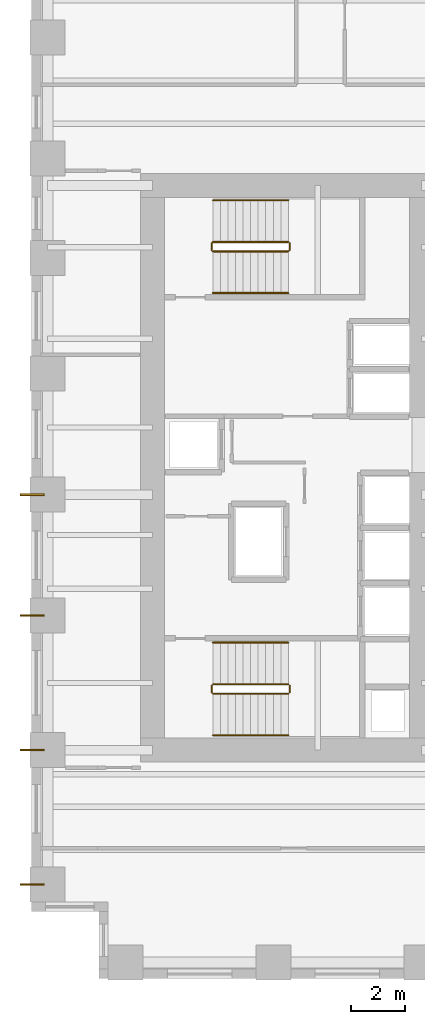
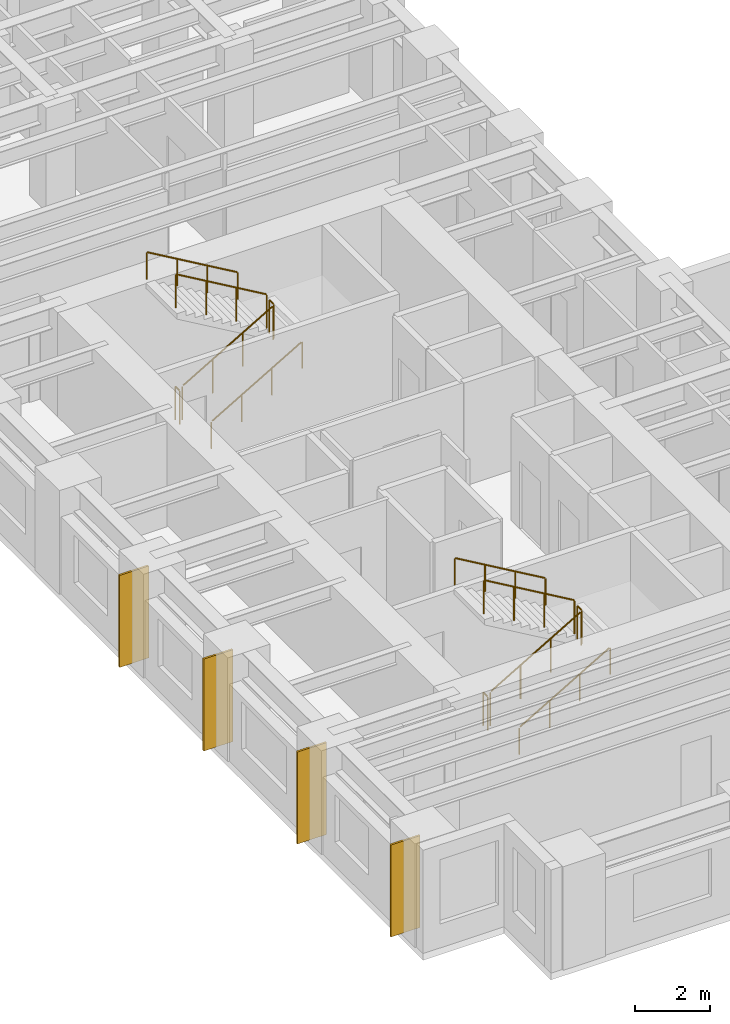
# One storey, part 10 of 11: 12 railings, 4 coverings.
"""IFC4 building model written with IfcOpenShell, lengths in metres."""

from ifc_helpers import new_model, si_unit, direction, frame, origin, origin_2d, place, context, subcontext, project, spatial, rectangle, circle, extrude, source, transform, mapped, material, layer, layer_set, type_object, element, save


model = new_model("IFC4")

# Units and contexts
model_context = context("Model", 3, precision=1e-05, world=origin(), true_north=direction((0.0, 1.0)))
body_context = subcontext(model_context, "Body", "Model", "MODEL_VIEW")
ifc_project = project(units=[si_unit("LENGTHUNIT", "METRE"), si_unit("AREAUNIT", "SQUARE_METRE"), si_unit("VOLUMEUNIT", "CUBIC_METRE"), si_unit("PLANEANGLEUNIT", "RADIAN"), si_unit("MASSUNIT", "GRAM", prefix="KILO")], contexts=[model_context])

# Site, building, storey
site_placement = place(None, origin())
site = spatial("IfcSite", under=ifc_project, at=site_placement, CompositionType="ELEMENT")
building_placement = place(site_placement, origin())
building = spatial("IfcBuilding", under=site, at=building_placement, Name="Kharzan Plaza Tower", CompositionType="ELEMENT")
storey_placement = place(building_placement, frame((0.0, 0.0, 54.89990234375)))
storey = spatial("IfcBuildingStorey", under=building, at=storey_placement, Name="L14", CompositionType="ELEMENT", Elevation=54.89990234375)

# Railings
ifc_material_1 = material(Name="Painted Galvanized Architectural Steel", Category="steel")
ifc_layer_1 = layer(ifc_material_1, 0.074951171875)
ifc_layer_set_1 = layer_set([ifc_layer_1], Name="Painted Galvanized Architectural Steel")
railing_type_1 = type_object("IfcRailingType", Name="RL-GUARD-1120", PredefinedType="BALUSTRADE", material=ifc_layer_set_1)
shared_shape_1 = source(origin(), body_context, "Body", "SweptSolid", [
    extrude(circle(Radius=0.02392578125, at=origin_2d()), frame((0.0, 0.0263671875, 1.09619140625), z_axis=(0.0, 1.0, 0.0), x_axis=(-1.0, 0.0, 0.0)), (0.0, 0.0, 1.0), 0.197021484375),
    extrude(circle(Radius=0.02099609375, at=origin_2d()), origin(), (0.0, 0.0, 1.0), 1.072021484375),
    extrude(circle(Radius=0.02099609375, at=origin_2d()), frame((0.0, 0.25, 0.0)), (0.0, 0.0, 1.0), 1.072021484375),
])
for number, where, name in (
    (1, (9.60009765625, 10.64990234375, 1.800048828125), "L14 ST-1 stair guard 2"),
    (2, (6.699951171875, 10.64990234375, 0.0), "L14 ST-1 stair guard 4"),
    (3, (9.60009765625, 27.10009765625, 1.800048828125), "L14 ST-2 stair guard 2"),
    (4, (6.699951171875, 27.10009765625, 0.0), "L14 ST-2 stair guard 4"),
):
    element("IfcRailing", number, at=place(storey_placement, frame(where)), inside=storey, type_object=railing_type_1, Name=name, PredefinedType="BALUSTRADE", context=body_context, shape_type="MappedRepresentation", body=[
        mapped(shared_shape_1, transform((0.0, 0.0, 0.0), x_axis=(1.0, 0.0, 0.0), y_axis=(0.0, 1.0, 0.0), z_axis=(0.0, 0.0, 1.0))),
    ])

# Coverings
ifc_material_2 = material(Name="Honed Riyadh Limestone", Category="masonry")
ifc_layer_2 = layer(ifc_material_2, 0.06005859375)
ifc_layer_set_2 = layer_set([ifc_layer_2], Name="Honed Riyadh Limestone")
covering_type = type_object("IfcCoveringType", Name="COV-CLAD-STONE", PredefinedType="CLADDING", material=ifc_layer_set_2)
shared_shape_2 = source(origin(), body_context, "Body", "SweptSolid", [
    extrude(rectangle(XDim=0.06005859375, YDim=0.89990234375, at=origin_2d()), origin(), (0.0, 0.0, 1.0), 3.0),
])
for number, where, z_axis, x_axis, name in (
    (5, (0.02001953125, 13.5, 0.10009765625), (0.0, 0.0, 1.0), (0.0, 1.0, 0.0), "L14 Limestone Pier Rainscreen Cladding TCW-135"),
    (6, (0.02001953125, 18.0, 0.10009765625), (0.0, 0.0, 1.0), (0.0, 1.0, 0.0), "L14 Limestone Pier Rainscreen Cladding TCW-180"),
    (7, (0.02001953125, 3.5, 0.10009765625), (0.0, 0.0, 1.0), (0.0, 1.0, 0.0), "L14 Limestone Pier Rainscreen Cladding TCW-35"),
    (8, (0.02001953125, 8.5, 0.10009765625), (0.0, 0.0, 1.0), (0.0, 1.0, 0.0), "L14 Limestone Pier Rainscreen Cladding TCW-85"),
):
    element("IfcCovering", number, at=place(storey_placement, frame(where, z_axis=z_axis, x_axis=x_axis)), inside=storey, type_object=covering_type, Name=name, PredefinedType="CLADDING", context=body_context, shape_type="MappedRepresentation", body=[
        mapped(shared_shape_2, transform((0.0, 0.0, 0.0), x_axis=(1.0, 0.0, 0.0), y_axis=(0.0, 1.0, 0.0), z_axis=(0.0, 0.0, 1.0))),
    ])

# Railings
shared_shape_3 = source(origin(), body_context, "Body", "SweptSolid", [
    extrude(circle(Radius=0.02392578125, at=origin_2d()), frame((-0.02294921875, 0.0, 1.109375), z_axis=(-0.863360870873, 0.0, 0.504586966384), x_axis=(0.0, -1.0, 0.0)), (0.0, 0.0, 1.0), 3.190185546875),
    extrude(circle(Radius=0.02099609375, at=origin_2d()), origin(), (0.0, 0.0, 1.0), 1.072021484375),
    extrude(circle(Radius=0.02099609375, at=origin_2d()), frame((-0.933349609375, 0.0, 0.54541015625)), (0.0, 0.0, 1.0), 1.072021484375),
    extrude(circle(Radius=0.02099609375, at=origin_2d()), frame((-1.86669921875, 0.0, 1.091064453125)), (0.0, 0.0, 1.0), 1.072021484375),
    extrude(circle(Radius=0.02099609375, at=origin_2d()), frame((-2.800048828125, 0.0, 1.636474609375)), (0.0, 0.0, 1.0), 1.072021484375),
])
for number, where, name in (
    (9, (9.550048828125, 10.949951171875, 1.963623046875), "L14 ST-1 stair guard 3"),
    (10, (9.550048828125, 27.39990234375, 1.963623046875), "L14 ST-2 stair guard 3"),
):
    element("IfcRailing", number, at=place(storey_placement, frame(where)), inside=storey, type_object=railing_type_1, Name=name, PredefinedType="BALUSTRADE", context=body_context, shape_type="MappedRepresentation", body=[
        mapped(shared_shape_3, transform((0.0, 0.0, 0.0), x_axis=(1.0, 0.0, 0.0), y_axis=(0.0, 1.0, 0.0), z_axis=(0.0, 0.0, 1.0))),
    ])
ifc_material_3 = material(Name="Brushed Stainless Steel", Category="steel")
ifc_layer_3 = layer(ifc_material_3, 0.050048828125)
ifc_layer_set_3 = layer_set([ifc_layer_3], Name="Brushed Stainless Steel")
railing_type_2 = type_object("IfcRailingType", Name="RL-STAIR-HR920", PredefinedType="HANDRAIL", material=ifc_layer_set_3)
shared_shape_4 = source(origin(), body_context, "Body", "SweptSolid", [
    extrude(circle(Radius=0.02392578125, at=origin_2d()), frame((-0.02294921875, 0.0, 0.88916015625), z_axis=(-0.863360870873, 0.0, 0.504586966384), x_axis=(0.0, -1.0, 0.0)), (0.0, 0.0, 1.0), 3.190185546875),
    extrude(circle(Radius=0.02099609375, at=origin_2d()), origin(), (0.0, 0.0, 1.0), 0.851806640625),
    extrude(circle(Radius=0.02099609375, at=origin_2d()), frame((-0.933349609375, 0.0, 0.54541015625)), (0.0, 0.0, 1.0), 0.851806640625),
    extrude(circle(Radius=0.02099609375, at=origin_2d()), frame((-1.86669921875, 0.0, 1.091064453125)), (0.0, 0.0, 1.0), 0.851806640625),
    extrude(circle(Radius=0.02099609375, at=origin_2d()), frame((-2.800048828125, 0.0, 1.636474609375)), (0.0, 0.0, 1.0), 0.851806640625),
])
for number, where, name in (
    (11, (9.550048828125, 12.5, 1.963623046875), "L14 ST-1 stair handrail 2"),
    (12, (9.550048828125, 28.949951171875, 1.963623046875), "L14 ST-2 stair handrail 2"),
):
    element("IfcRailing", number, at=place(storey_placement, frame(where)), inside=storey, type_object=railing_type_2, Name=name, PredefinedType="HANDRAIL", context=body_context, shape_type="MappedRepresentation", body=[
        mapped(shared_shape_4, transform((0.0, 0.0, 0.0), x_axis=(1.0, 0.0, 0.0), y_axis=(0.0, 1.0, 0.0), z_axis=(0.0, 0.0, 1.0))),
    ])
shared_shape_5 = source(origin(), body_context, "Body", "SweptSolid", [
    extrude(circle(Radius=0.02392578125, at=origin_2d()), frame((0.02294921875, 0.0, 1.109375), z_axis=(0.863393664356, 0.0, 0.504530851732), x_axis=(0.0, 1.0, 0.0)), (0.0, 0.0, 1.0), 3.190185546875),
    extrude(circle(Radius=0.02099609375, at=origin_2d()), origin(), (0.0, 0.0, 1.0), 1.072021484375),
    extrude(circle(Radius=0.02099609375, at=origin_2d()), frame((0.933349609375, 0.0, 0.54541015625)), (0.0, 0.0, 1.0), 1.072021484375),
    extrude(circle(Radius=0.02099609375, at=origin_2d()), frame((1.86669921875, 0.0, 1.0908203125)), (0.0, 0.0, 1.0), 1.072021484375),
    extrude(circle(Radius=0.02099609375, at=origin_2d()), frame((2.800048828125, 0.0, 1.63623046875)), (0.0, 0.0, 1.0), 1.072021484375),
])
for number, where, name in (
    (13, (6.75, 10.60009765625, 0.163818359375), "L14 ST-1 stair guard 1"),
    (14, (6.75, 27.050048828125, 0.163818359375), "L14 ST-2 stair guard 1"),
):
    element("IfcRailing", number, at=place(storey_placement, frame(where)), inside=storey, type_object=railing_type_1, Name=name, PredefinedType="BALUSTRADE", context=body_context, shape_type="MappedRepresentation", body=[
        mapped(shared_shape_5, transform((0.0, 0.0, 0.0), x_axis=(1.0, 0.0, 0.0), y_axis=(0.0, 1.0, 0.0), z_axis=(0.0, 0.0, 1.0))),
    ])
shared_shape_6 = source(origin(), body_context, "Body", "SweptSolid", [
    extrude(circle(Radius=0.02392578125, at=origin_2d()), frame((0.02294921875, 0.0, 0.88916015625), z_axis=(0.863393664356, 0.0, 0.504530851732), x_axis=(0.0, 1.0, 0.0)), (0.0, 0.0, 1.0), 3.190185546875),
    extrude(circle(Radius=0.02099609375, at=origin_2d()), origin(), (0.0, 0.0, 1.0), 0.851806640625),
    extrude(circle(Radius=0.02099609375, at=origin_2d()), frame((0.933349609375, 0.0, 0.54541015625)), (0.0, 0.0, 1.0), 0.851806640625),
    extrude(circle(Radius=0.02099609375, at=origin_2d()), frame((1.86669921875, 0.0, 1.0908203125)), (0.0, 0.0, 1.0), 0.851806640625),
    extrude(circle(Radius=0.02099609375, at=origin_2d()), frame((2.800048828125, 0.0, 1.63623046875)), (0.0, 0.0, 1.0), 0.851806640625),
])
for number, where, name in (
    (15, (6.75, 9.050048828125, 0.163818359375), "L14 ST-1 stair handrail 1"),
    (16, (6.75, 25.5, 0.163818359375), "L14 ST-2 stair handrail 1"),
):
    element("IfcRailing", number, at=place(storey_placement, frame(where)), inside=storey, type_object=railing_type_2, Name=name, PredefinedType="HANDRAIL", context=body_context, shape_type="MappedRepresentation", body=[
        mapped(shared_shape_6, transform((0.0, 0.0, 0.0), x_axis=(1.0, 0.0, 0.0), y_axis=(0.0, 1.0, 0.0), z_axis=(0.0, 0.0, 1.0))),
    ])

save(model, "model.ifc")
